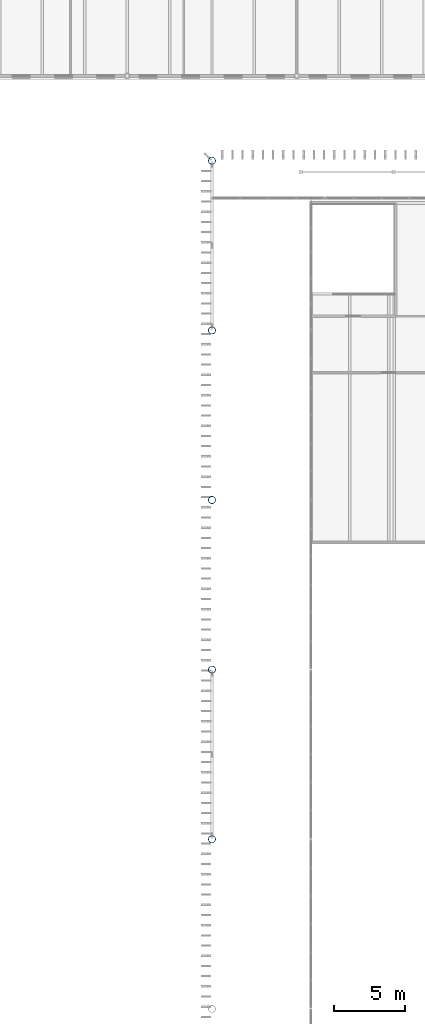
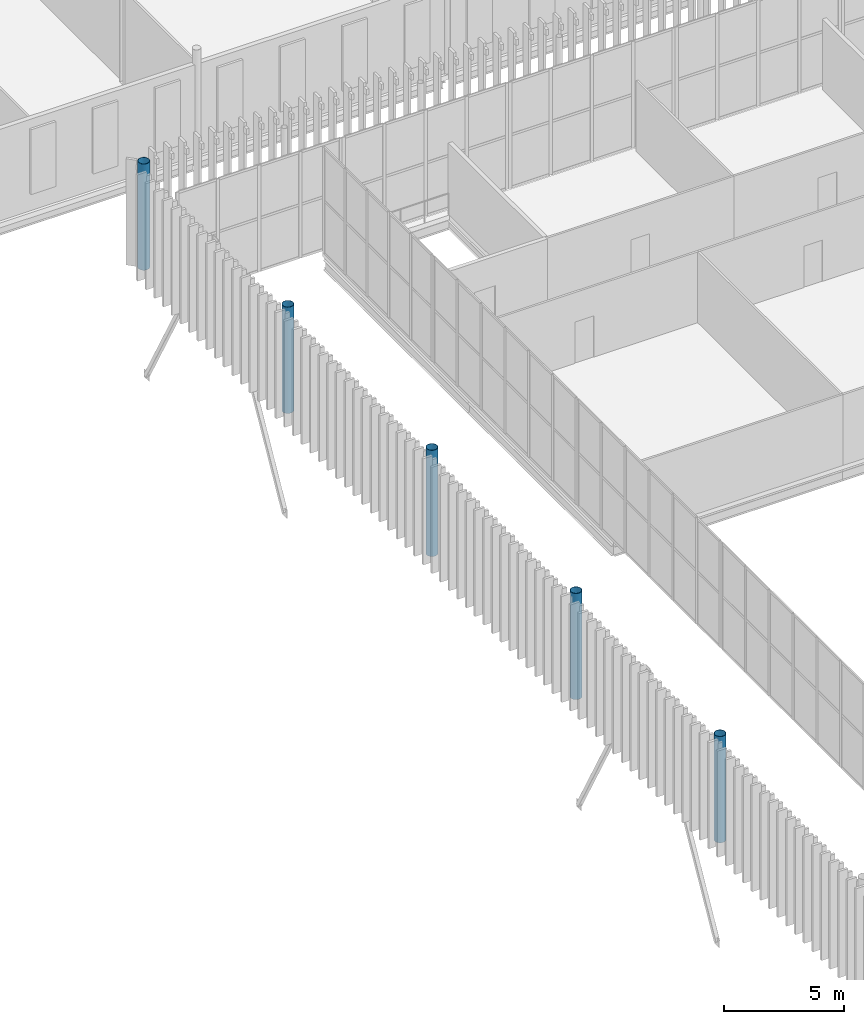
# One storey, part 18 of 170: 5 columns.
"""IFC4 building model written with IfcOpenShell, lengths in metres."""

from ifc_helpers import new_model, si_unit, direction, frame, origin, origin_2d, place, context, subcontext, project, spatial, hollow_circle, extrude, material, material_profile, profile_set, type_object, element, save


model = new_model("IFC4")

# Units and contexts
model_context = context("Model", 3, precision=1e-05, world=origin(), true_north=direction((0.0, 1.0)))
body_context = subcontext(model_context, "Body", "Model", "MODEL_VIEW")
ifc_project = project(units=[si_unit("LENGTHUNIT", "METRE"), si_unit("AREAUNIT", "SQUARE_METRE"), si_unit("VOLUMEUNIT", "CUBIC_METRE"), si_unit("PLANEANGLEUNIT", "RADIAN"), si_unit("MASSUNIT", "GRAM", prefix="KILO")], contexts=[model_context])

# Site, building, storey
site_placement = place(None, origin())
site = spatial("IfcSite", under=ifc_project, at=site_placement, CompositionType="ELEMENT")
building_placement = place(site_placement, origin())
building = spatial("IfcBuilding", under=site, at=building_placement, Name="Ravi Spectrum Wholesale Market", CompositionType="ELEMENT")
storey_placement = place(building_placement, frame((0.0, 0.0, 5.39990234375)))
storey = spatial("IfcBuildingStorey", under=building, at=storey_placement, Name="L01", CompositionType="ELEMENT", Elevation=5.39990234375)

# Columns
ifc_material = material(Name="Steel S355", Category="steel")
ifc_material_profile = material_profile(ifc_material, hollow_circle(Radius=0.25390625, WallThickness=0.01611328125, at=origin_2d()))
ifc_profile_set = profile_set([ifc_material_profile], Name="Steel S355")
column_type = type_object("IfcColumnType", Name="CHS 508x16 column", PredefinedType="COLUMN", material=ifc_profile_set)
for number, where, z_axis, x_axis, name in (
    (1, (30.0, 150.0, 0.0), (0.0, 0.0, 1.0), (1.0, 0.0, 0.0), "H1-COL-L01-011"),
    (2, (30.0, 162.0, 0.0), (0.0, 0.0, 1.0), (1.0, 0.0, 0.0), "H1-COL-L01-012"),
    (3, (30.0, 174.0, 0.0), (0.0, 0.0, 1.0), (1.0, 0.0, 0.0), "H1-COL-L01-013"),
    (4, (30.0, 186.0, 0.0), (0.0, 0.0, 1.0), (1.0, 0.0, 0.0), "H1-COL-L01-014"),
    (5, (30.0, 198.0, 0.0), (0.0, 0.0, 1.0), (1.0, 0.0, 0.0), "H1-COL-L01-015"),
):
    element("IfcColumn", number, at=place(storey_placement, frame(where, z_axis=z_axis, x_axis=x_axis)), inside=storey, type_object=column_type, Name=name, PredefinedType="COLUMN", context=body_context, shape_type="SweptSolid", body=[
        extrude(hollow_circle(Radius=0.25390625, WallThickness=0.01611328125, at=origin_2d()), origin(), (0.0, 0.0, 1.0), 5.400146484375),
    ])

save(model, "model.ifc")
